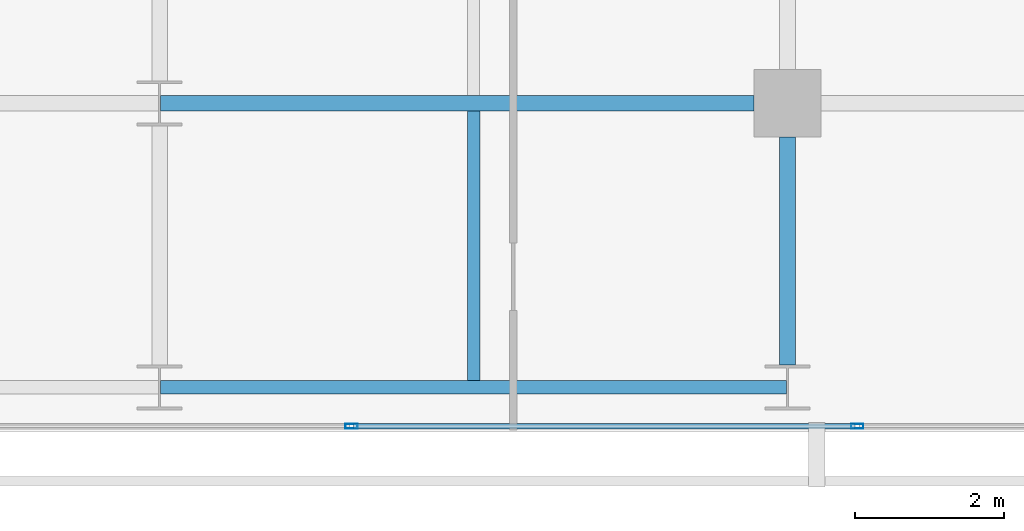
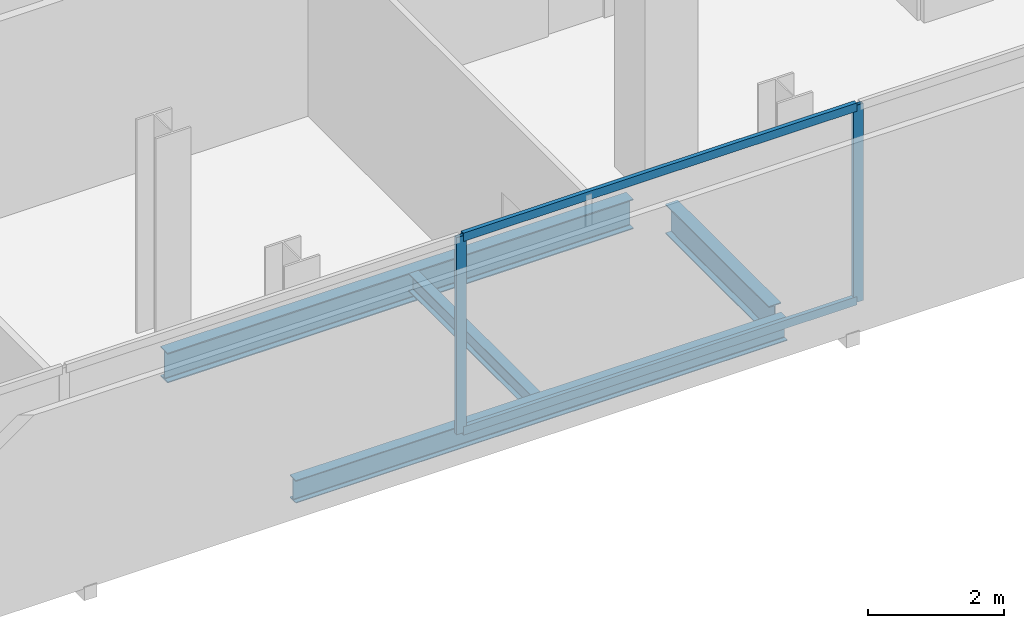
# One storey, part 12 of 32: 4 beams, 4 members, 1 element without a shape of its own.
"""IFC4 building model written with IfcOpenShell, lengths in metres."""

from ifc_helpers import new_model, si_unit, direction, frame, origin, origin_2d, place, context, subcontext, project, spatial, hollow_rectangle, i_section, extrude, material, layer, layer_set, material_profile, profile_set, type_object, element, aggregate, save


model = new_model("IFC4")

# Units and contexts
model_context = context("Model", 3, precision=1e-05, world=origin(), true_north=direction((0.0, 1.0)))
body_context = subcontext(model_context, "Body", "Model", "MODEL_VIEW")
ifc_project = project(units=[si_unit("LENGTHUNIT", "METRE"), si_unit("AREAUNIT", "SQUARE_METRE"), si_unit("VOLUMEUNIT", "CUBIC_METRE"), si_unit("PLANEANGLEUNIT", "RADIAN"), si_unit("MASSUNIT", "GRAM", prefix="KILO")], contexts=[model_context])

# Site, building, storey
site_placement = place(None, origin())
site = spatial("IfcSite", under=ifc_project, at=site_placement, CompositionType="ELEMENT")
building_placement = place(site_placement, origin())
building = spatial("IfcBuilding", under=site, at=building_placement, Name="Maruvema Waterfront Hotel and Observation Tower", CompositionType="ELEMENT")
storey_placement = place(building_placement, frame((0.0, 0.0, 223.64990234375)))
storey = spatial("IfcBuildingStorey", under=building, at=storey_placement, Name="L55", CompositionType="ELEMENT", Elevation=223.64990234375)

# Curtain wall, members
ifc_material_1 = material(Name="Anodised bronze aluminium and solar-control low-E IGU", Category="aluminium")
ifc_layer = layer(ifc_material_1, 0.159912109375, Name="Zone 2 Amber Inner Thermal Curtain Wall System CW-03")
ifc_layer_set = layer_set([ifc_layer], Name="Anodised bronze aluminium and solar-control low-E IGU")
curtain_wall_type = type_object("IfcCurtainWallType", Name="Zone 2 Amber Inner Thermal Curtain Wall System CW-03", PredefinedType="USERDEFINED", material=ifc_layer_set)
curtain_wall_placement = place(storey_placement, origin())
curtain_wall = element("IfcCurtainWall", 1, at=curtain_wall_placement, inside=storey, type_object=curtain_wall_type, Name="L55 Curtain Wall CW-L55-S", ObjectType="UNITISED CURTAIN WALL", PredefinedType="USERDEFINED")
ifc_material_2 = material(Name="Anodised architectural bronze aluminium", Category="aluminium")
ifc_material_profile_1 = material_profile(ifc_material_2, hollow_rectangle(XDim=0.070068359375, YDim=0.14990234375, WallThickness=0.00390625, at=origin_2d()), Name="ALU-T70x150")
ifc_profile_set_1 = profile_set([ifc_material_profile_1], Name="Anodised architectural bronze aluminium")
member_type_1 = type_object("IfcMemberType", Name="Curtain Wall Horizontal Transom ALU-T70x150", PredefinedType="USERDEFINED", material=ifc_profile_set_1)
member_1_placement = place(storey_placement, frame((44.5966796875, 4.679931640625, 0.030029296875), z_axis=(1.0, 0.0, 0.0), x_axis=(0.0, 1.0, 0.0)))
member_1 = element("IfcMember", 2, at=member_1_placement, type_object=member_type_1, Name="CW-03 transom 5.1", ObjectType="TRANSOM", PredefinedType="USERDEFINED", context=body_context, shape_type="SweptSolid", body=[
    extrude(hollow_rectangle(XDim=0.070068359375, YDim=0.14990234375, WallThickness=0.00390625, at=origin_2d()), origin(), (0.0, 0.0, 1.0), 6.70654296875),
])
member_2_placement = place(storey_placement, frame((44.5966796875, 4.679931640625, 3.52001953125), z_axis=(1.0, 0.0, 0.0), x_axis=(0.0, 1.0, 0.0)))
member_2 = element("IfcMember", 3, at=member_2_placement, type_object=member_type_1, Name="CW-03 transom 5.2", ObjectType="TRANSOM", PredefinedType="USERDEFINED", context=body_context, shape_type="SweptSolid", body=[
    extrude(hollow_rectangle(XDim=0.070068359375, YDim=0.14990234375, WallThickness=0.00390625, at=origin_2d()), origin(), (0.0, 0.0, 1.0), 6.70654296875),
])
ifc_material_3 = material(Name="Anodised architectural bronze aluminium", Category="aluminium")
ifc_material_profile_2 = material_profile(ifc_material_3, hollow_rectangle(XDim=0.06494140625, YDim=0.1650390625, WallThickness=0.00390625, at=origin_2d()), Name="ALU-M65x165")
ifc_profile_set_2 = profile_set([ifc_material_profile_2], Name="Anodised architectural bronze aluminium")
member_type_2 = type_object("IfcMemberType", Name="Curtain Wall Primary Mullion ALU-M65x165", PredefinedType="MULLION", material=ifc_profile_set_2)
member_3_placement = place(storey_placement, frame((44.566650390625, 4.679931640625, 0.0), z_axis=(0.0, 0.0, 1.0), x_axis=(0.0, 1.0, 0.0)))
member_3 = element("IfcMember", 4, at=member_3_placement, type_object=member_type_2, Name="CW-03 mullion 5", PredefinedType="MULLION", context=body_context, shape_type="SweptSolid", body=[
    extrude(hollow_rectangle(XDim=0.06494140625, YDim=0.1650390625, WallThickness=0.00390625, at=origin_2d()), origin(), (0.0, 0.0, 1.0), 3.550048828125),
])
member_4_placement = place(storey_placement, frame((51.333251953125, 4.679931640625, 0.0), z_axis=(0.0, 0.0, 1.0), x_axis=(0.0, 1.0, 0.0)))
member_4 = element("IfcMember", 5, at=member_4_placement, type_object=member_type_2, Name="CW-03 mullion 6", PredefinedType="MULLION", context=body_context, shape_type="SweptSolid", body=[
    extrude(hollow_rectangle(XDim=0.06494140625, YDim=0.1650390625, WallThickness=0.00390625, at=origin_2d()), origin(), (0.0, 0.0, 1.0), 3.550048828125),
])
aggregate(curtain_wall, [member_3, member_4, member_1, member_2])

# Beams
ifc_material_4 = material(Name="Steel ASTM A572 Grade 50", Category="steel")
ifc_material_profile_3 = material_profile(ifc_material_4, i_section(OverallWidth=0.178955078125, OverallDepth=0.409912109375, WebThickness=0.0087890625, FlangeThickness=0.014404296875, FilletRadius=0.014892578125, at=origin_2d()), Name="W410x67.0")
ifc_profile_set_3 = profile_set([ifc_material_profile_3], Name="Steel ASTM A572 Grade 50")
beam_type_1 = type_object("IfcBeamType", Name="Perimeter Spandrel Beam W410x67.0", PredefinedType="SPANDREL", material=ifc_profile_set_3)
beam_1_placement = place(storey_placement, frame((42.012451171875, 5.199951171875, -0.44482421875), z_axis=(1.0, 0.0, 0.0), x_axis=(0.0, 1.0, 0.0)))
element("IfcBeam", 6, at=beam_1_placement, inside=storey, type_object=beam_type_1, Name="L55 Floor Girder EW-03", PredefinedType="SPANDREL", context=body_context, shape_type="SweptSolid", body=[
    extrude(i_section(OverallWidth=0.178955078125, OverallDepth=0.409912109375, WebThickness=0.0087890625, FlangeThickness=0.014404296875, FilletRadius=0.014892578125, at=origin_2d()), origin(), (0.0, 0.0, 1.0), 8.375),
])
ifc_material_5 = material(Name="Steel ASTM A572 Grade 50", Category="steel")
ifc_material_profile_4 = material_profile(ifc_material_5, i_section(OverallWidth=0.2109375, OverallDepth=0.5390625, WebThickness=0.01171875, FlangeThickness=0.018798828125, FilletRadius=0.014892578125, at=origin_2d()), Name="W530x109.0")
ifc_profile_set_4 = profile_set([ifc_material_profile_4], Name="Steel ASTM A572 Grade 50")
beam_type_2 = type_object("IfcBeamType", Name="Primary Floor Girder W530x109.0", PredefinedType="BEAM", material=ifc_profile_set_4)
beam_2_placement = place(storey_placement, frame((42.012451171875, 9.0, -0.509521484375), z_axis=(1.0, 0.0, 0.0), x_axis=(0.0, 1.0, 0.0)))
element("IfcBeam", 7, at=beam_2_placement, inside=storey, type_object=beam_type_2, Name="L55 Floor Girder EW-08", PredefinedType="BEAM", context=body_context, shape_type="SweptSolid", body=[
    extrude(i_section(OverallWidth=0.2109375, OverallDepth=0.5390625, WebThickness=0.01171875, FlangeThickness=0.018798828125, FilletRadius=0.014892578125, at=origin_2d()), origin(), (0.0, 0.0, 1.0), 7.9375),
])
beam_3_placement = place(storey_placement, frame((50.39990234375, 5.5, -0.509521484375), z_axis=(0.0, 1.0, 0.0), x_axis=(-1.0, 0.0, 0.0)))
element("IfcBeam", 8, at=beam_3_placement, inside=storey, type_object=beam_type_2, Name="L55 Floor Girder NS-20", PredefinedType="BEAM", context=body_context, shape_type="SweptSolid", body=[
    extrude(i_section(OverallWidth=0.2109375, OverallDepth=0.5390625, WebThickness=0.01171875, FlangeThickness=0.018798828125, FilletRadius=0.014892578125, at=origin_2d()), origin(), (0.0, 0.0, 1.0), 3.050048828125),
])
ifc_material_6 = material(Name="Steel ASTM A572 Grade 50", Category="steel")
ifc_material_profile_5 = material_profile(ifc_material_6, i_section(OverallWidth=0.1669921875, OverallDepth=0.31689453125, WebThickness=0.007568359375, FlangeThickness=0.01318359375, FilletRadius=0.012939453125, at=origin_2d()), Name="W310x52.0")
ifc_profile_set_5 = profile_set([ifc_material_profile_5], Name="Steel ASTM A572 Grade 50")
beam_type_3 = type_object("IfcBeamType", Name="Secondary Floor Joist W310x52.0", PredefinedType="JOIST", material=ifc_profile_set_5)
beam_4_placement = place(storey_placement, frame((46.199951171875, 5.28955078125, -0.3984375), z_axis=(0.0, 1.0, 0.0), x_axis=(-1.0, 0.0, 0.0)))
element("IfcBeam", 9, at=beam_4_placement, inside=storey, type_object=beam_type_3, Name="L55 Secondary Floor Joist JS-09", PredefinedType="JOIST", context=body_context, shape_type="SweptSolid", body=[
    extrude(i_section(OverallWidth=0.1669921875, OverallDepth=0.31689453125, WebThickness=0.007568359375, FlangeThickness=0.01318359375, FilletRadius=0.012939453125, at=origin_2d()), origin(), (0.0, 0.0, 1.0), 3.60498046875),
])

save(model, "model.ifc")
